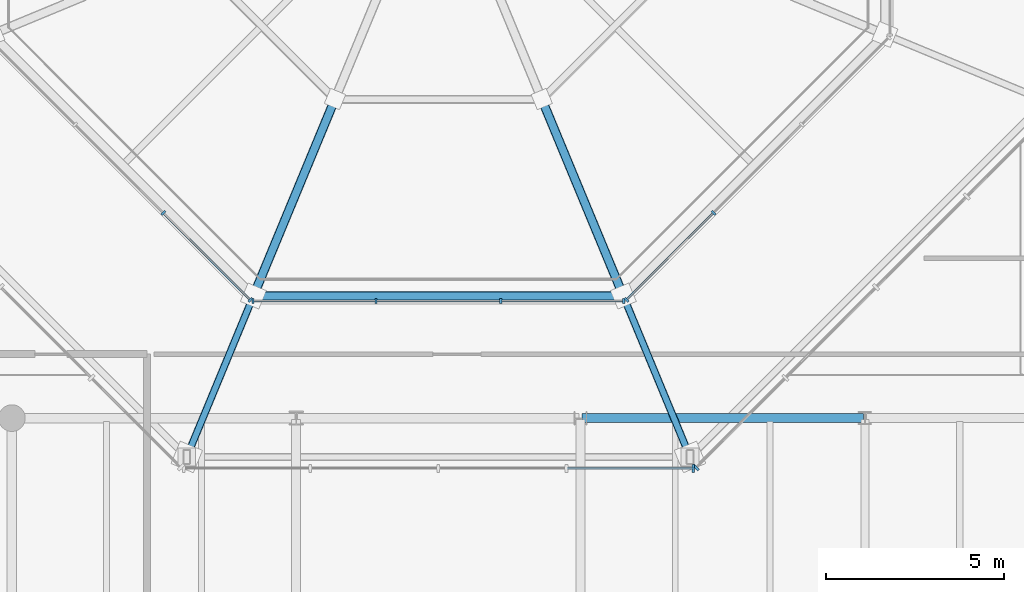
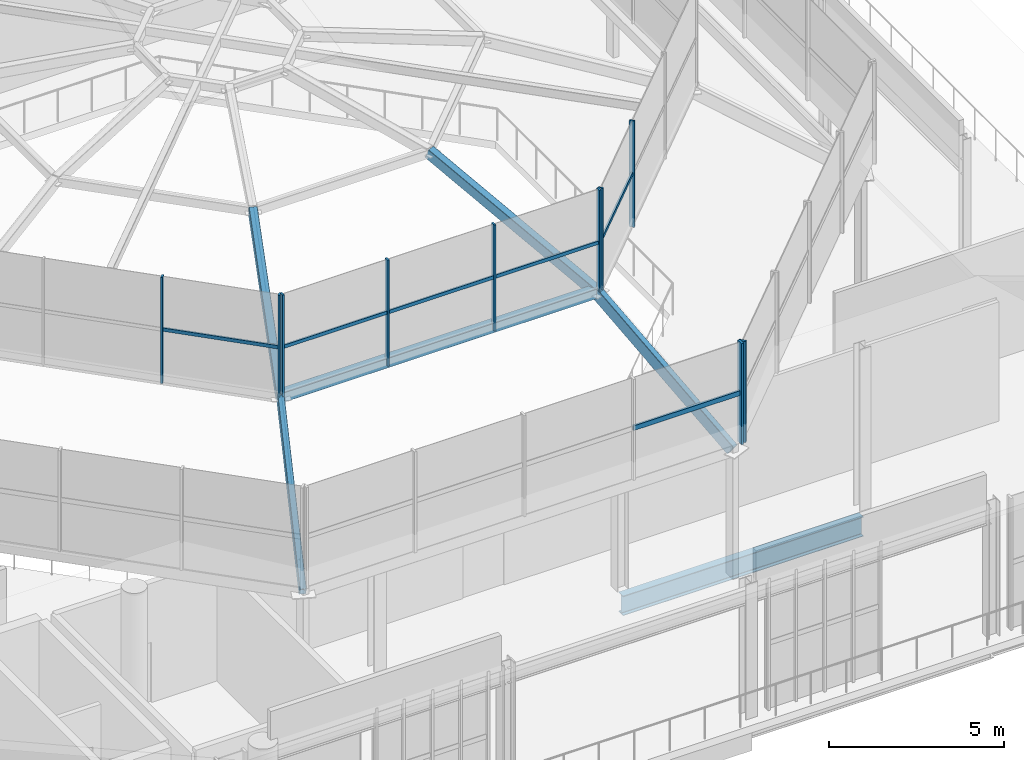
# One storey, part 9 of 30: 16 members, 6 beams, 5 elements without a shape of their own.
"""IFC4 building model written with IfcOpenShell, lengths in metres."""

from ifc_helpers import new_model, si_unit, direction, frame, origin, origin_2d, place, context, subcontext, project, spatial, rectangle, hollow_rectangle, i_section, extrude, material, material_profile, profile_set, type_object, element, aggregate, save


model = new_model("IFC4")

# Units and contexts
model_context = context("Model", 3, precision=1e-05, world=origin(), true_north=direction((0.0, 1.0)))
body_context = subcontext(model_context, "Body", "Model", "MODEL_VIEW")
ifc_project = project(units=[si_unit("LENGTHUNIT", "METRE"), si_unit("AREAUNIT", "SQUARE_METRE"), si_unit("VOLUMEUNIT", "CUBIC_METRE"), si_unit("PLANEANGLEUNIT", "RADIAN"), si_unit("MASSUNIT", "GRAM", prefix="KILO")], contexts=[model_context])

# Site, building, storey
site_placement = place(None, origin())
site = spatial("IfcSite", under=ifc_project, at=site_placement, CompositionType="ELEMENT")
building_placement = place(site_placement, origin())
building = spatial("IfcBuilding", under=site, at=building_placement, Name="Brisemont Oceanarium", CompositionType="ELEMENT")
storey_placement = place(building_placement, frame((0.0, 0.0, 19.800048828125)))
storey = spatial("IfcBuildingStorey", under=building, at=storey_placement, Name="L04", CompositionType="ELEMENT", Elevation=19.800048828125)

# Beams
ifc_material_1 = material(Name="Structural Steel ASTM A500 Gr.C", Category="steel")
ifc_material_profile_1 = material_profile(ifc_material_1, hollow_rectangle(XDim=0.25390625, YDim=0.35595703125, WallThickness=0.01171875, InnerFilletRadius=0.01220703125, OuterFilletRadius=0.02392578125, at=origin_2d()), Name="HSS14X10X1/2")
ifc_profile_set_1 = profile_set([ifc_material_profile_1], Name="Structural Steel ASTM A500 Gr.C")
beam_type_1 = type_object("IfcBeamType", Name="BM-HSS14X10", PredefinedType="BEAM", material=ifc_profile_set_1)
beam_1_placement = place(storey_placement, frame((78.79541015625, 43.435302734375, 7.800048828125), z_axis=(1.0, 0.0, 0.0), x_axis=(0.0, 1.0, 0.0)))
element("IfcBeam", 1, at=beam_1_placement, inside=storey, type_object=beam_type_1, Name="V1 dome ring 2 chord 6", PredefinedType="BEAM", context=body_context, shape_type="SweptSolid", body=[
    extrude(hollow_rectangle(XDim=0.25390625, YDim=0.35595703125, WallThickness=0.01171875, InnerFilletRadius=0.01220703125, OuterFilletRadius=0.02392578125, at=origin_2d()), origin(), (0.0, 0.0, 1.0), 10.4091796875),
])
for number, where, z_axis, x_axis, name in (
    (2, (78.79541015625, 43.435302734375, 7.800048828125), (0.357341841105, 0.862673737617, 0.357911764296), (-0.923875488976, 0.382693194178, 0.0), "V1 dome meridian arch rib 2.6"),
    (3, (89.20458984375, 43.435302734375, 7.800048828125), (-0.357341841105, 0.862673737617, 0.357911764296), (-0.923875488976, -0.382693194178, 0.0), "V1 dome meridian arch rib 2.7"),
):
    element("IfcBeam", number, at=place(storey_placement, frame(where, z_axis=z_axis, x_axis=x_axis)), inside=storey, type_object=beam_type_1, Name=name, PredefinedType="BEAM", context=body_context, shape_type="SweptSolid", body=[
        extrude(hollow_rectangle(XDim=0.25390625, YDim=0.35595703125, WallThickness=0.01171875, InnerFilletRadius=0.01220703125, OuterFilletRadius=0.02392578125, at=origin_2d()), origin(), (0.0, 0.0, 1.0), 6.425537109375),
    ])
ifc_material_2 = material(Name="Structural Steel ASTM A500 Gr.C", Category="steel")
ifc_material_profile_2 = material_profile(ifc_material_2, hollow_rectangle(XDim=0.202880859375, YDim=0.406005859375, WallThickness=0.01171875, InnerFilletRadius=0.01220703125, OuterFilletRadius=0.02392578125, at=origin_2d()), Name="HSS16X8X1/2")
ifc_profile_set_2 = profile_set([ifc_material_profile_2], Name="Structural Steel ASTM A500 Gr.C")
beam_type_2 = type_object("IfcBeamType", Name="BM-HSS16X8", PredefinedType="BEAM", material=ifc_profile_set_2)
for number, where, z_axis, x_axis, name in (
    (4, (76.92041015625, 38.908203125, 4.3798828125), (0.313776039681, 0.757597539558, 0.572355278632), (-0.92389295654, 0.382651022285, 0.0), "V1 dome meridian arch rib 1.6"),
    (5, (91.07958984375, 38.908203125, 4.3798828125), (-0.313776039681, 0.757597539558, 0.572355278632), (-0.92389295654, -0.382651022285, 0.0), "V1 dome meridian arch rib 1.7"),
):
    element("IfcBeam", number, at=place(storey_placement, frame(where, z_axis=z_axis, x_axis=x_axis)), inside=storey, type_object=beam_type_2, Name=name, PredefinedType="BEAM", context=body_context, shape_type="SweptSolid", body=[
        extrude(hollow_rectangle(XDim=0.202880859375, YDim=0.406005859375, WallThickness=0.01171875, InnerFilletRadius=0.01220703125, OuterFilletRadius=0.02392578125, at=origin_2d()), origin(), (0.0, 0.0, 1.0), 5.9755859375),
    ])
ifc_material_3 = material(Name="Structural Steel ASTM A992 Gr.50", Category="steel")
ifc_material_profile_3 = material_profile(ifc_material_3, i_section(OverallWidth=0.25390625, OverallDepth=0.68310546875, WebThickness=0.012451171875, FlangeThickness=0.018798828125, FilletRadius=0.014892578125, at=origin_2d()), Name="W27X94")
ifc_profile_set_3 = profile_set([ifc_material_profile_3], Name="Structural Steel ASTM A992 Gr.50")
beam_type_3 = type_object("IfcBeamType", Name="BM-W27X94", PredefinedType="BEAM", material=ifc_profile_set_3)
beam_2_placement = place(storey_placement, frame((88.0400390625, 40.0, -0.6015625), z_axis=(1.0, 0.0, 0.0), x_axis=(0.0, 1.0, 0.0)))
element("IfcBeam", 6, at=beam_2_placement, inside=storey, type_object=beam_type_3, Name="V1 L04 EW girder", PredefinedType="BEAM", context=body_context, shape_type="SweptSolid", body=[
    extrude(i_section(OverallWidth=0.25390625, OverallDepth=0.68310546875, WebThickness=0.012451171875, FlangeThickness=0.018798828125, FilletRadius=0.014892578125, at=origin_2d()), origin(), (0.0, 0.0, 1.0), 7.919921875),
])

# Curtain wall, members
ifc_material_4 = material(Name="Anodized Extruded Aluminum 6063-T6", Category="aluminium")
curtain_wall_type_1 = type_object("IfcCurtainWallType", Name="CW-CLR-48X34", PredefinedType="NOTDEFINED", material=ifc_material_4)
curtain_wall_1_placement = place(storey_placement, origin())
curtain_wall_1 = element("IfcCurtainWall", 7, at=curtain_wall_1_placement, inside=storey, type_object=curtain_wall_type_1, Name="CW-22 curtain wall CW-DOME-UP-5", PredefinedType="NOTDEFINED")
ifc_material_5 = material(Name="Anodized Extruded Aluminum 6063-T6", Category="aluminium")
ifc_material_profile_4 = material_profile(ifc_material_5, rectangle(XDim=0.06005859375, YDim=0.14990234375, at=origin_2d()), Name="CWM-60X150")
ifc_profile_set_4 = profile_set([ifc_material_profile_4], Name="Anodized Extruded Aluminum 6063-T6")
member_type_1 = type_object("IfcMemberType", Name="MEM-CWM-60", PredefinedType="MULLION", material=ifc_profile_set_4)
member_1_placement = place(storey_placement, frame((76.257568359375, 45.777099609375, 7.75), z_axis=(0.0, 0.0, 1.0), x_axis=(0.707106781187, -0.707106781187, 0.0)))
member_1 = element("IfcMember", 8, at=member_1_placement, type_object=member_type_1, Name="CW-DOME-UP-5 mullion 3", PredefinedType="MULLION", context=body_context, shape_type="SweptSolid", body=[
    extrude(rectangle(XDim=0.06005859375, YDim=0.14990234375, at=origin_2d()), origin(), (0.0, 0.0, 1.0), 3.699951171875),
])
member_2_placement = place(storey_placement, frame((78.706298828125, 43.32861328125, 7.75), z_axis=(0.0, 0.0, 1.0), x_axis=(0.707106781187, -0.707106781187, 0.0)))
member_2 = element("IfcMember", 9, at=member_2_placement, type_object=member_type_1, Name="CW-DOME-UP-5 mullion 4", PredefinedType="MULLION", context=body_context, shape_type="SweptSolid", body=[
    extrude(rectangle(XDim=0.06005859375, YDim=0.14990234375, at=origin_2d()), origin(), (0.0, 0.0, 1.0), 3.699951171875),
])

curtain_wall_2_placement = place(storey_placement, origin())
curtain_wall_2 = element("IfcCurtainWall", 10, at=curtain_wall_2_placement, inside=storey, type_object=curtain_wall_type_1, Name="CW-22 curtain wall CW-DOME-UP-6", PredefinedType="NOTDEFINED")
member_3_placement = place(storey_placement, frame((78.783203125, 43.296630859375, 7.75), z_axis=(0.0, 0.0, 1.0), x_axis=(1.0, 0.0, 0.0)))
member_3 = element("IfcMember", 11, at=member_3_placement, type_object=member_type_1, Name="CW-DOME-UP-6 mullion 1", PredefinedType="MULLION", context=body_context, shape_type="SweptSolid", body=[
    extrude(rectangle(XDim=0.06005859375, YDim=0.14990234375, at=origin_2d()), origin(), (0.0, 0.0, 1.0), 3.699951171875),
])
member_4_placement = place(storey_placement, frame((82.24609375, 43.296630859375, 7.75), z_axis=(0.0, 0.0, 1.0), x_axis=(1.0, 0.0, 0.0)))
member_4 = element("IfcMember", 12, at=member_4_placement, type_object=member_type_1, Name="CW-DOME-UP-6 mullion 2", PredefinedType="MULLION", context=body_context, shape_type="SweptSolid", body=[
    extrude(rectangle(XDim=0.06005859375, YDim=0.14990234375, at=origin_2d()), origin(), (0.0, 0.0, 1.0), 3.699951171875),
])
member_5_placement = place(storey_placement, frame((85.75390625, 43.296630859375, 7.75), z_axis=(0.0, 0.0, 1.0), x_axis=(1.0, 0.0, 0.0)))
member_5 = element("IfcMember", 13, at=member_5_placement, type_object=member_type_1, Name="CW-DOME-UP-6 mullion 3", PredefinedType="MULLION", context=body_context, shape_type="SweptSolid", body=[
    extrude(rectangle(XDim=0.06005859375, YDim=0.14990234375, at=origin_2d()), origin(), (0.0, 0.0, 1.0), 3.699951171875),
])
member_6_placement = place(storey_placement, frame((89.216796875, 43.296630859375, 7.75), z_axis=(0.0, 0.0, 1.0), x_axis=(1.0, 0.0, 0.0)))
member_6 = element("IfcMember", 14, at=member_6_placement, type_object=member_type_1, Name="CW-DOME-UP-6 mullion 4", PredefinedType="MULLION", context=body_context, shape_type="SweptSolid", body=[
    extrude(rectangle(XDim=0.06005859375, YDim=0.14990234375, at=origin_2d()), origin(), (0.0, 0.0, 1.0), 3.699951171875),
])

curtain_wall_3_placement = place(storey_placement, origin())
curtain_wall_3 = element("IfcCurtainWall", 15, at=curtain_wall_3_placement, inside=storey, type_object=curtain_wall_type_1, Name="CW-22 curtain wall CW-DOME-UP-7", PredefinedType="NOTDEFINED")
member_7_placement = place(storey_placement, frame((89.293701171875, 43.32861328125, 7.75), z_axis=(0.0, 0.0, 1.0), x_axis=(0.707106781187, 0.707106781187, 0.0)))
member_7 = element("IfcMember", 16, at=member_7_placement, type_object=member_type_1, Name="CW-DOME-UP-7 mullion 1", PredefinedType="MULLION", context=body_context, shape_type="SweptSolid", body=[
    extrude(rectangle(XDim=0.06005859375, YDim=0.14990234375, at=origin_2d()), origin(), (0.0, 0.0, 1.0), 3.699951171875),
])
member_8_placement = place(storey_placement, frame((91.742431640625, 45.777099609375, 7.75), z_axis=(0.0, 0.0, 1.0), x_axis=(0.707106781187, 0.707106781187, 0.0)))
member_8 = element("IfcMember", 17, at=member_8_placement, type_object=member_type_1, Name="CW-DOME-UP-7 mullion 2", PredefinedType="MULLION", context=body_context, shape_type="SweptSolid", body=[
    extrude(rectangle(XDim=0.06005859375, YDim=0.14990234375, at=origin_2d()), origin(), (0.0, 0.0, 1.0), 3.699951171875),
])

# Curtain wall, member
ifc_material_6 = material(Name="Anodized Extruded Aluminum 6063-T6", Category="aluminium")
curtain_wall_type_2 = type_object("IfcCurtainWallType", Name="CW-ROT-69X44", PredefinedType="NOTDEFINED", material=ifc_material_6)
curtain_wall_4_placement = place(storey_placement, origin())
curtain_wall_4 = element("IfcCurtainWall", 18, at=curtain_wall_4_placement, inside=storey, type_object=curtain_wall_type_2, Name="CW-03 curtain wall CW-DOME-DRUM-6", PredefinedType="NOTDEFINED")
ifc_material_7 = material(Name="Anodized Extruded Aluminum 6063-T6", Category="aluminium")
ifc_material_profile_5 = material_profile(ifc_material_7, rectangle(XDim=0.074951171875, YDim=0.219970703125, at=origin_2d()), Name="CWM-75X220")
ifc_profile_set_5 = profile_set([ifc_material_profile_5], Name="Anodized Extruded Aluminum 6063-T6")
member_type_2 = type_object("IfcMemberType", Name="MEM-CWM-75", PredefinedType="MULLION", material=ifc_profile_set_5)
member_9_placement = place(storey_placement, frame((91.168701171875, 38.5849609375, 4.780029296875), z_axis=(0.0, 0.0, 1.0), x_axis=(1.0, 0.0, 0.0)))
member_9 = element("IfcMember", 19, at=member_9_placement, type_object=member_type_2, Name="CW-DOME-DRUM-6 mullion 5", PredefinedType="MULLION", context=body_context, shape_type="SweptSolid", body=[
    extrude(rectangle(XDim=0.074951171875, YDim=0.219970703125, at=origin_2d()), origin(), (0.0, 0.0, 1.0), 3.52001953125),
])

curtain_wall_5_placement = place(storey_placement, origin())
curtain_wall_5 = element("IfcCurtainWall", 20, at=curtain_wall_5_placement, inside=storey, type_object=curtain_wall_type_2, Name="CW-03 curtain wall CW-DOME-DRUM-7", PredefinedType="NOTDEFINED")
member_10_placement = place(storey_placement, frame((91.245361328125, 38.61669921875, 4.780029296875), z_axis=(0.0, 0.0, 1.0), x_axis=(0.707106781187, 0.707106781187, 0.0)))
member_10 = element("IfcMember", 21, at=member_10_placement, type_object=member_type_2, Name="CW-DOME-DRUM-7 mullion 1", PredefinedType="MULLION", context=body_context, shape_type="SweptSolid", body=[
    extrude(rectangle(XDim=0.074951171875, YDim=0.219970703125, at=origin_2d()), origin(), (0.0, 0.0, 1.0), 3.52001953125),
])
aggregate(curtain_wall_5, [member_10])

# Member
ifc_material_8 = material(Name="Anodized Extruded Aluminum 6063-T6", Category="aluminium")
ifc_material_profile_6 = material_profile(ifc_material_8, rectangle(XDim=0.06005859375, YDim=0.1201171875, at=origin_2d()), Name="CWT-60X120")
ifc_profile_set_6 = profile_set([ifc_material_profile_6], Name="Anodized Extruded Aluminum 6063-T6")
member_type_3 = type_object("IfcMemberType", Name="MEM-CWT-60", PredefinedType="USERDEFINED", material=ifc_profile_set_6)
member_11_placement = place(storey_placement, frame((76.268310546875, 45.7666015625, 9.599853515625), z_axis=(0.707106781187, -0.707106781187, 0.0), x_axis=(0.707106781187, 0.707106781187, 0.0)))
member_11 = element("IfcMember", 22, at=member_11_placement, type_object=member_type_3, Name="CW-DOME-UP-5 transom 3.1", ObjectType="TRANSOM", PredefinedType="USERDEFINED", context=body_context, shape_type="SweptSolid", body=[
    extrude(rectangle(XDim=0.06005859375, YDim=0.1201171875, at=origin_2d()), origin(), (0.0, 0.0, 1.0), 3.477783203125),
])

aggregate(curtain_wall_1, [member_1, member_2, member_11])

member_12_placement = place(storey_placement, frame((78.753173828125, 43.296630859375, 9.599853515625), z_axis=(1.0, 0.0, 0.0), x_axis=(0.0, 1.0, 0.0)))
member_12 = element("IfcMember", 23, at=member_12_placement, type_object=member_type_3, Name="CW-DOME-UP-6 transom 1.1", ObjectType="TRANSOM", PredefinedType="USERDEFINED", context=body_context, shape_type="SweptSolid", body=[
    extrude(rectangle(XDim=0.06005859375, YDim=0.1201171875, at=origin_2d()), origin(), (0.0, 0.0, 1.0), 3.477783203125),
])

member_13_placement = place(storey_placement, frame((82.260986328125, 43.296630859375, 9.599853515625), z_axis=(1.0, 0.0, 0.0), x_axis=(0.0, 1.0, 0.0)))
member_13 = element("IfcMember", 24, at=member_13_placement, type_object=member_type_3, Name="CW-DOME-UP-6 transom 2.1", ObjectType="TRANSOM", PredefinedType="USERDEFINED", context=body_context, shape_type="SweptSolid", body=[
    extrude(rectangle(XDim=0.06005859375, YDim=0.1201171875, at=origin_2d()), origin(), (0.0, 0.0, 1.0), 3.47802734375),
])

member_14_placement = place(storey_placement, frame((85.76904296875, 43.296630859375, 9.599853515625), z_axis=(1.0, 0.0, 0.0), x_axis=(0.0, 1.0, 0.0)))
member_14 = element("IfcMember", 25, at=member_14_placement, type_object=member_type_3, Name="CW-DOME-UP-6 transom 3.1", ObjectType="TRANSOM", PredefinedType="USERDEFINED", context=body_context, shape_type="SweptSolid", body=[
    extrude(rectangle(XDim=0.06005859375, YDim=0.1201171875, at=origin_2d()), origin(), (0.0, 0.0, 1.0), 3.477783203125),
])

aggregate(curtain_wall_2, [member_3, member_4, member_5, member_6, member_12, member_13, member_14])

member_15_placement = place(storey_placement, frame((89.2724609375, 43.307373046875, 9.599853515625), z_axis=(0.707106781187, 0.707106781187, 0.0), x_axis=(-0.707106781187, 0.707106781187, 0.0)))
member_15 = element("IfcMember", 26, at=member_15_placement, type_object=member_type_3, Name="CW-DOME-UP-7 transom 1.1", ObjectType="TRANSOM", PredefinedType="USERDEFINED", context=body_context, shape_type="SweptSolid", body=[
    extrude(rectangle(XDim=0.06005859375, YDim=0.1201171875, at=origin_2d()), origin(), (0.0, 0.0, 1.0), 3.477783203125),
])

aggregate(curtain_wall_3, [member_7, member_8, member_15])

ifc_material_9 = material(Name="Anodized Extruded Aluminum 6063-T6", Category="aluminium")
ifc_material_profile_7 = material_profile(ifc_material_9, rectangle(XDim=0.074951171875, YDim=0.1650390625, at=origin_2d()), Name="CWT-75X165")
ifc_profile_set_7 = profile_set([ifc_material_profile_7], Name="Anodized Extruded Aluminum 6063-T6")
member_type_4 = type_object("IfcMemberType", Name="MEM-CWT-75", PredefinedType="USERDEFINED", material=ifc_profile_set_7)
member_16_placement = place(storey_placement, frame((87.621826171875, 38.5849609375, 6.5400390625), z_axis=(1.0, 0.0, 0.0), x_axis=(0.0, 1.0, 0.0)))
member_16 = element("IfcMember", 27, at=member_16_placement, type_object=member_type_4, Name="CW-DOME-DRUM-6 transom 4.1", ObjectType="TRANSOM", PredefinedType="USERDEFINED", context=body_context, shape_type="SweptSolid", body=[
    extrude(rectangle(XDim=0.074951171875, YDim=0.1650390625, at=origin_2d()), origin(), (0.0, 0.0, 1.0), 3.57666015625),
])

aggregate(curtain_wall_4, [member_9, member_16])

save(model, "model.ifc")
